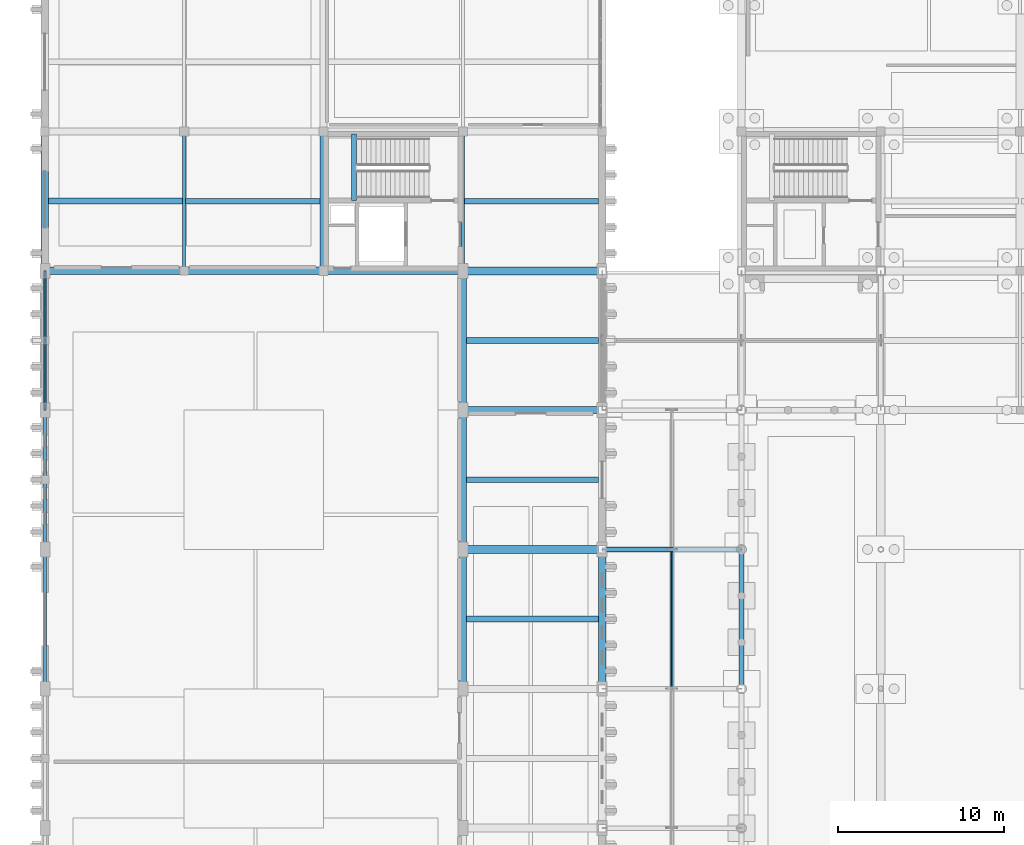
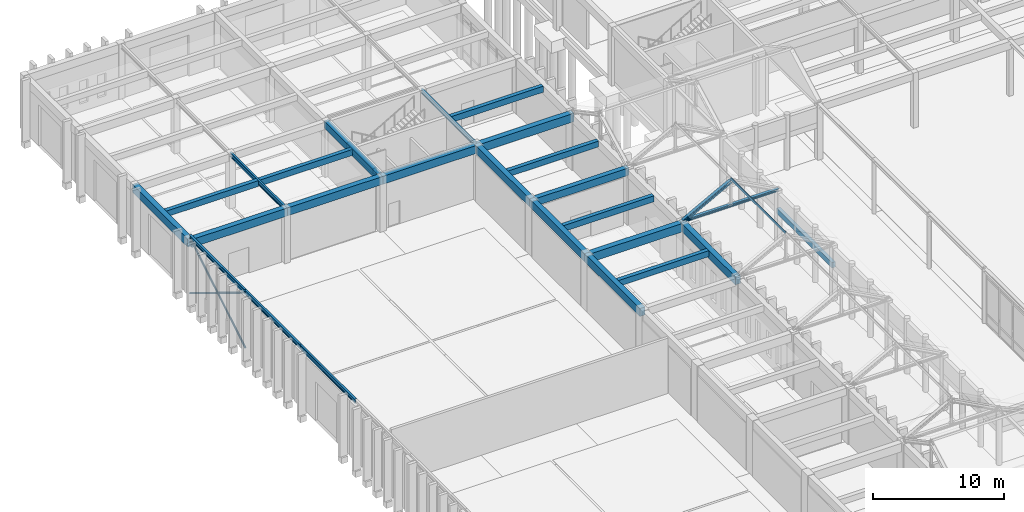
# One storey, part 48 of 143: 25 beams, 6 members.
"""IFC4 building model written with IfcOpenShell, lengths in metres."""

from ifc_helpers import new_model, si_unit, direction, frame, origin, origin_2d, place, context, subcontext, project, spatial, rectangle, hollow_rectangle, hollow_circle, i_section, extrude, material, material_profile, profile_set, type_object, element, save


model = new_model("IFC4")

# Units and contexts
model_context = context("Model", 3, precision=1e-05, world=origin(), true_north=direction((0.0, 1.0)))
body_context = subcontext(model_context, "Body", "Model", "MODEL_VIEW")
ifc_project = project(units=[si_unit("LENGTHUNIT", "METRE"), si_unit("AREAUNIT", "SQUARE_METRE"), si_unit("VOLUMEUNIT", "CUBIC_METRE"), si_unit("PLANEANGLEUNIT", "RADIAN"), si_unit("MASSUNIT", "GRAM", prefix="KILO")], contexts=[model_context])

# Site, building, storey
site_placement = place(None, origin())
site = spatial("IfcSite", under=ifc_project, at=site_placement, CompositionType="ELEMENT")
building_placement = place(site_placement, origin())
building = spatial("IfcBuilding", under=site, at=building_placement, Name="Kveldsbrygga Polytechnic", CompositionType="ELEMENT")
storey_placement = place(building_placement, origin())
storey = spatial("IfcBuildingStorey", under=building, at=storey_placement, Name="L00", CompositionType="ELEMENT", Elevation=0.0)

# Beams
ifc_material_1 = material(Name="Concrete C35/45", Category="concrete")
ifc_material_profile_1 = material_profile(ifc_material_1, rectangle(XDim=0.39990234375, YDim=0.64990234375, at=origin_2d()), Name="RC 400x650")
ifc_profile_set_1 = profile_set([ifc_material_profile_1], Name="Concrete C35/45")
beam_type_1 = type_object("IfcBeamType", Name="BM-RC-400x650", PredefinedType="BEAM", material=ifc_profile_set_1)
beam_1_placement = place(storey_placement, frame((16.800048828125, 84.0, 4.77490234375), z_axis=(0.0, 1.0, 0.0), x_axis=(-1.0, 0.0, 0.0)))
element("IfcBeam", 1, at=beam_1_placement, inside=storey, type_object=beam_type_1, Name="Primary Beam BMY-L00-02-10to11", PredefinedType="BEAM", context=body_context, shape_type="SweptSolid", body=[
    extrude(rectangle(XDim=0.39990234375, YDim=0.64990234375, at=origin_2d()), origin(), (0.0, 0.0, 1.0), 8.39990234375),
])
ifc_material_profile_2 = material_profile(ifc_material_1, rectangle(XDim=0.419921875, YDim=0.679931640625, at=origin_2d()), Name="RC 420x680")
ifc_profile_set_2 = profile_set([ifc_material_profile_2], Name="Concrete C35/45")
beam_type_2 = type_object("IfcBeamType", Name="BM-RC-420x680", PredefinedType="BEAM", material=ifc_profile_set_2)
beam_2_placement = place(storey_placement, frame((25.199951171875, 75.60009765625, 4.760009765625), z_axis=(1.0, 0.0, 0.0), x_axis=(0.0, 1.0, 0.0)))
element("IfcBeam", 2, at=beam_2_placement, inside=storey, type_object=beam_type_2, Name="Primary Beam BMX-L00-03to04-09", PredefinedType="BEAM", context=body_context, shape_type="SweptSolid", body=[
    extrude(rectangle(XDim=0.419921875, YDim=0.679931640625, at=origin_2d()), origin(), (0.0, 0.0, 1.0), 8.400146484375),
])
ifc_material_profile_3 = material_profile(ifc_material_1, rectangle(XDim=0.449951171875, YDim=0.75, at=origin_2d()), Name="RC 450x750")
ifc_profile_set_3 = profile_set([ifc_material_profile_3], Name="Concrete C35/45")
beam_type_3 = type_object("IfcBeamType", Name="BM-RC-450x750", PredefinedType="BEAM", material=ifc_profile_set_3)
for number, where, z_axis, x_axis, name in (
    (3, (0.0, 84.0, 4.72509765625), (0.0, 1.0, 0.0), (-1.0, 0.0, 0.0), "Primary Beam BMY-L00-00-10to11"),
    (4, (25.199951171875, 58.800048828125, 4.72509765625), (0.0, 1.0, 0.0), (-1.0, 0.0, 0.0), "Primary Beam BMY-L00-03-07to08"),
):
    element("IfcBeam", number, at=place(storey_placement, frame(where, z_axis=z_axis, x_axis=x_axis)), inside=storey, type_object=beam_type_3, Name=name, PredefinedType="BEAM", context=body_context, shape_type="SweptSolid", body=[
        extrude(rectangle(XDim=0.449951171875, YDim=0.75, at=origin_2d()), origin(), (0.0, 0.0, 1.0), 8.39990234375),
    ])
beam_3_placement = place(storey_placement, frame((25.199951171875, 67.199951171875, 4.72509765625), z_axis=(0.0, 1.0, 0.0), x_axis=(-1.0, 0.0, 0.0)))
element("IfcBeam", 5, at=beam_3_placement, inside=storey, type_object=beam_type_3, Name="Primary Beam BMY-L00-03-08to09", PredefinedType="BEAM", context=body_context, shape_type="SweptSolid", body=[
    extrude(rectangle(XDim=0.449951171875, YDim=0.75, at=origin_2d()), origin(), (0.0, 0.0, 1.0), 8.400146484375),
])
for number, where, z_axis, x_axis, name in (
    (6, (25.199951171875, 75.60009765625, 4.72509765625), (0.0, 1.0, 0.0), (-1.0, 0.0, 0.0), "Primary Beam BMY-L00-03-09to10"),
    (7, (33.60009765625, 58.800048828125, 4.72509765625), (0.0, 1.0, 0.0), (-1.0, 0.0, 0.0), "Primary Beam BMY-L00-04-07to08"),
):
    element("IfcBeam", number, at=place(storey_placement, frame(where, z_axis=z_axis, x_axis=x_axis)), inside=storey, type_object=beam_type_3, Name=name, PredefinedType="BEAM", context=body_context, shape_type="SweptSolid", body=[
        extrude(rectangle(XDim=0.449951171875, YDim=0.75, at=origin_2d()), origin(), (0.0, 0.0, 1.0), 8.39990234375),
    ])
ifc_material_profile_4 = material_profile(ifc_material_1, rectangle(XDim=0.4599609375, YDim=0.739990234375, at=origin_2d()), Name="RC 460x740")
ifc_profile_set_4 = profile_set([ifc_material_profile_4], Name="Concrete C35/45")
beam_type_4 = type_object("IfcBeamType", Name="BM-RC-460x740", PredefinedType="BEAM", material=ifc_profile_set_4)
beam_4_placement = place(storey_placement, frame((0.0, 84.0, 4.72998046875), z_axis=(1.0, 0.0, 0.0), x_axis=(0.0, 1.0, 0.0)))
element("IfcBeam", 8, at=beam_4_placement, inside=storey, type_object=beam_type_4, Name="Primary Beam BMX-L00-00to01-10", PredefinedType="BEAM", context=body_context, shape_type="SweptSolid", body=[
    extrude(rectangle(XDim=0.4599609375, YDim=0.739990234375, at=origin_2d()), origin(), (0.0, 0.0, 1.0), 8.39990234375),
])
beam_5_placement = place(storey_placement, frame((8.39990234375, 84.0, 4.72998046875), z_axis=(1.0, 0.0, 0.0), x_axis=(0.0, 1.0, 0.0)))
element("IfcBeam", 9, at=beam_5_placement, inside=storey, type_object=beam_type_4, Name="Primary Beam BMX-L00-01to02-10", PredefinedType="BEAM", context=body_context, shape_type="SweptSolid", body=[
    extrude(rectangle(XDim=0.4599609375, YDim=0.739990234375, at=origin_2d()), origin(), (0.0, 0.0, 1.0), 8.400146484375),
])
beam_6_placement = place(storey_placement, frame((16.800048828125, 84.0, 4.72998046875), z_axis=(1.0, 0.0, 0.0), x_axis=(0.0, 1.0, 0.0)))
element("IfcBeam", 10, at=beam_6_placement, inside=storey, type_object=beam_type_4, Name="Primary Beam BMX-L00-02to03-10", PredefinedType="BEAM", context=body_context, shape_type="SweptSolid", body=[
    extrude(rectangle(XDim=0.4599609375, YDim=0.739990234375, at=origin_2d()), origin(), (0.0, 0.0, 1.0), 8.39990234375),
])
ifc_material_profile_5 = material_profile(ifc_material_1, rectangle(XDim=0.47998046875, YDim=0.780029296875, at=origin_2d()), Name="RC 480x780")
ifc_profile_set_5 = profile_set([ifc_material_profile_5], Name="Concrete C35/45")
beam_type_5 = type_object("IfcBeamType", Name="BM-RC-480x780", PredefinedType="BEAM", material=ifc_profile_set_5)
for number, where, z_axis, x_axis, name in (
    (11, (25.199951171875, 67.199951171875, 4.7099609375), (1.0, 0.0, 0.0), (0.0, 1.0, 0.0), "Primary Beam BMX-L00-03to04-08"),
    (12, (25.199951171875, 84.0, 4.7099609375), (1.0, 0.0, 0.0), (0.0, 1.0, 0.0), "Primary Beam BMX-L00-03to04-10"),
):
    element("IfcBeam", number, at=place(storey_placement, frame(where, z_axis=z_axis, x_axis=x_axis)), inside=storey, type_object=beam_type_5, Name=name, PredefinedType="BEAM", context=body_context, shape_type="SweptSolid", body=[
        extrude(rectangle(XDim=0.47998046875, YDim=0.780029296875, at=origin_2d()), origin(), (0.0, 0.0, 1.0), 8.400146484375),
    ])
ifc_material_2 = material(Name="Steel S355", Category="steel")
ifc_material_profile_6 = material_profile(ifc_material_2, i_section(OverallWidth=0.179931640625, OverallDepth=0.39990234375, WebThickness=0.008544921875, FlangeThickness=0.013427734375, FilletRadius=0.02099609375, at=origin_2d()), Name="IPE 400")
ifc_profile_set_6 = profile_set([ifc_material_profile_6], Name="Steel S355")
beam_type_6 = type_object("IfcBeamType", Name="BM-STL-IPE400", PredefinedType="BEAM", material=ifc_profile_set_6)
for number, where, z_axis, x_axis, name in (
    (13, (8.39990234375, 84.0, 4.89990234375), (0.0, 1.0, 0.0), (-1.0, 0.0, 0.0), "Primary Beam BMY-L00-01-10to11"),
    (14, (25.199951171875, 84.0, 4.89990234375), (0.0, 1.0, 0.0), (-1.0, 0.0, 0.0), "Primary Beam BMY-L00-03-10to11"),
    (15, (0.0, 58.800048828125, 5.239990234375), (0.0, 1.0, 0.0), (-1.0, 0.0, 0.0), "Workshop Perimeter Girt Beam BMY-V1GRT-L00-W-07"),
):
    element("IfcBeam", number, at=place(storey_placement, frame(where, z_axis=z_axis, x_axis=x_axis)), inside=storey, type_object=beam_type_6, Name=name, PredefinedType="BEAM", context=body_context, shape_type="SweptSolid", body=[
        extrude(i_section(OverallWidth=0.179931640625, OverallDepth=0.39990234375, WebThickness=0.008544921875, FlangeThickness=0.013427734375, FilletRadius=0.02099609375, at=origin_2d()), origin(), (0.0, 0.0, 1.0), 8.39990234375),
    ])
beam_7_placement = place(storey_placement, frame((0.0, 67.199951171875, 5.239990234375), z_axis=(0.0, 1.0, 0.0), x_axis=(-1.0, 0.0, 0.0)))
element("IfcBeam", 16, at=beam_7_placement, inside=storey, type_object=beam_type_6, Name="Workshop Perimeter Girt Beam BMY-V1GRT-L00-W-08", PredefinedType="BEAM", context=body_context, shape_type="SweptSolid", body=[
    extrude(i_section(OverallWidth=0.179931640625, OverallDepth=0.39990234375, WebThickness=0.008544921875, FlangeThickness=0.013427734375, FilletRadius=0.02099609375, at=origin_2d()), origin(), (0.0, 0.0, 1.0), 8.400146484375),
])
beam_8_placement = place(storey_placement, frame((0.0, 75.60009765625, 5.239990234375), z_axis=(0.0, 1.0, 0.0), x_axis=(-1.0, 0.0, 0.0)))
element("IfcBeam", 17, at=beam_8_placement, inside=storey, type_object=beam_type_6, Name="Workshop Perimeter Girt Beam BMY-V1GRT-L00-W-09", PredefinedType="BEAM", context=body_context, shape_type="SweptSolid", body=[
    extrude(i_section(OverallWidth=0.179931640625, OverallDepth=0.39990234375, WebThickness=0.008544921875, FlangeThickness=0.013427734375, FilletRadius=0.02099609375, at=origin_2d()), origin(), (0.0, 0.0, 1.0), 8.39990234375),
])

# Members
ifc_material_profile_7 = material_profile(ifc_material_2, hollow_circle(Radius=0.084228515625, WallThickness=0.010009765625, at=origin_2d()), Name="CHS 168.3x10.0")
ifc_profile_set_7 = profile_set([ifc_material_profile_7], Name="Steel S355")
member_type_1 = type_object("IfcMemberType", Name="BR-WIND-CHS168", PredefinedType="BRACE", material=ifc_profile_set_7)
member_1_placement = place(storey_placement, frame((0.0, 75.60009765625, 0.0), z_axis=(0.0, 0.852982633203, 0.521939294798), x_axis=(-1.0, 0.0, 0.0)))
element("IfcMember", 18, at=member_1_placement, inside=storey, type_object=member_type_1, Name="Workshop Portal Continuous Brace VBR-L00-W-9-A", PredefinedType="BRACE", context=body_context, shape_type="SweptSolid", body=[
    extrude(hollow_circle(Radius=0.084228515625, WallThickness=0.010009765625, at=origin_2d()), origin(), (0.0, 0.0, 1.0), 9.84765625),
])
member_2_placement = place(storey_placement, frame((0.0, 84.0, 0.0), z_axis=(0.0, -0.852990810736, 0.521925930377), x_axis=(1.0, 0.0, 0.0)))
element("IfcMember", 19, at=member_2_placement, inside=storey, type_object=member_type_1, Name="Workshop Portal Split Brace VBR-L00-W-9-B1", PredefinedType="BRACE", context=body_context, shape_type="SweptSolid", body=[
    extrude(hollow_circle(Radius=0.084228515625, WallThickness=0.010009765625, at=origin_2d()), origin(), (0.0, 0.0, 1.0), 4.833984375),
])
member_3_placement = place(storey_placement, frame((0.0, 79.72314453125, 2.616943359375), z_axis=(0.0, -0.852977051756, 0.521948416204), x_axis=(1.0, 0.0, 0.0)))
element("IfcMember", 20, at=member_3_placement, inside=storey, type_object=member_type_1, Name="Workshop Portal Split Brace VBR-L00-W-9-B2", PredefinedType="BRACE", context=body_context, shape_type="SweptSolid", body=[
    extrude(hollow_circle(Radius=0.084228515625, WallThickness=0.010009765625, at=origin_2d()), origin(), (0.0, 0.0, 1.0), 4.833740234375),
])

# Beams
ifc_material_profile_8 = material_profile(ifc_material_1, rectangle(XDim=0.340087890625, YDim=0.56005859375, at=origin_2d()), Name="RC 340x560")
ifc_profile_set_8 = profile_set([ifc_material_profile_8], Name="Concrete C35/45")
beam_type_7 = type_object("IfcBeamType", Name="JST-RC-340x560", PredefinedType="JOIST", material=ifc_profile_set_8)
beam_9_placement = place(storey_placement, frame((8.489990234375, 88.199951171875, 4.820068359375), z_axis=(1.0, 0.0, 0.0), x_axis=(0.0, 1.0, 0.0)))
element("IfcBeam", 21, at=beam_9_placement, inside=storey, type_object=beam_type_7, Name="Secondary Joist JST-L00-01-10", PredefinedType="JOIST", context=body_context, shape_type="SweptSolid", body=[
    extrude(rectangle(XDim=0.340087890625, YDim=0.56005859375, at=origin_2d()), origin(), (0.0, 0.0, 1.0), 8.110107421875),
])
beam_10_placement = place(storey_placement, frame((25.425048828125, 71.39990234375, 4.820068359375), z_axis=(1.0, 0.0, 0.0), x_axis=(0.0, 1.0, 0.0)))
element("IfcBeam", 22, at=beam_10_placement, inside=storey, type_object=beam_type_7, Name="Secondary Joist JST-L00-03-08", PredefinedType="JOIST", context=body_context, shape_type="SweptSolid", body=[
    extrude(rectangle(XDim=0.340087890625, YDim=0.56005859375, at=origin_2d()), origin(), (0.0, 0.0, 1.0), 7.949951171875),
])
beam_11_placement = place(storey_placement, frame((25.2900390625, 88.199951171875, 4.820068359375), z_axis=(1.0, 0.0, 0.0), x_axis=(0.0, 1.0, 0.0)))
element("IfcBeam", 23, at=beam_11_placement, inside=storey, type_object=beam_type_7, Name="Secondary Joist JST-L00-03-10", PredefinedType="JOIST", context=body_context, shape_type="SweptSolid", body=[
    extrude(rectangle(XDim=0.340087890625, YDim=0.56005859375, at=origin_2d()), origin(), (0.0, 0.0, 1.0), 8.0849609375),
])
ifc_material_profile_9 = material_profile(ifc_material_1, rectangle(XDim=0.35009765625, YDim=0.550048828125, at=origin_2d()), Name="RC 350x550")
ifc_profile_set_9 = profile_set([ifc_material_profile_9], Name="Concrete C35/45")
beam_type_8 = type_object("IfcBeamType", Name="JST-RC-350x550", PredefinedType="JOIST", material=ifc_profile_set_9)
beam_12_placement = place(storey_placement, frame((0.22509765625, 88.199951171875, 4.824951171875), z_axis=(1.0, 0.0, 0.0), x_axis=(0.0, 1.0, 0.0)))
element("IfcBeam", 24, at=beam_12_placement, inside=storey, type_object=beam_type_8, Name="Secondary Joist JST-L00-00-10", PredefinedType="JOIST", context=body_context, shape_type="SweptSolid", body=[
    extrude(rectangle(XDim=0.35009765625, YDim=0.550048828125, at=origin_2d()), origin(), (0.0, 0.0, 1.0), 8.0849609375),
])
for number, where, z_axis, x_axis, name in (
    (25, (25.425048828125, 63.0, 4.824951171875), (1.0, 0.0, 0.0), (0.0, 1.0, 0.0), "Secondary Joist JST-L00-03-07"),
    (26, (25.425048828125, 79.800048828125, 4.824951171875), (1.0, 0.0, 0.0), (0.0, 1.0, 0.0), "Secondary Joist JST-L00-03-09"),
):
    element("IfcBeam", number, at=place(storey_placement, frame(where, z_axis=z_axis, x_axis=x_axis)), inside=storey, type_object=beam_type_8, Name=name, PredefinedType="JOIST", context=body_context, shape_type="SweptSolid", body=[
        extrude(rectangle(XDim=0.35009765625, YDim=0.550048828125, at=origin_2d()), origin(), (0.0, 0.0, 1.0), 7.949951171875),
    ])
ifc_material_profile_10 = material_profile(ifc_material_1, rectangle(XDim=0.300048828125, YDim=0.5, at=origin_2d()), Name="RC 300x500")
ifc_profile_set_10 = profile_set([ifc_material_profile_10], Name="Concrete C35/45")
beam_type_9 = type_object("IfcBeamType", Name="LNT-RC-300x500", PredefinedType="LINTEL", material=ifc_profile_set_10)
beam_13_placement = place(storey_placement, frame((18.64990234375, 88.22998046875, 2.27001953125), z_axis=(0.0, 1.0, 0.0), x_axis=(-1.0, 0.0, 0.0)))
element("IfcBeam", 27, at=beam_13_placement, inside=storey, type_object=beam_type_9, Name="Stair Landing Support Beam C8-L00-LNDB-1-1", PredefinedType="LINTEL", context=body_context, shape_type="SweptSolid", body=[
    extrude(rectangle(XDim=0.300048828125, YDim=0.5, at=origin_2d()), origin(), (0.0, 0.0, 1.0), 4.02001953125),
])
beam_14_placement = place(storey_placement, frame((42.0, 58.800048828125, 3.199951171875), z_axis=(0.0, 1.0, 0.0), x_axis=(-1.0, 0.0, 0.0)))
element("IfcBeam", 28, at=beam_14_placement, inside=storey, type_object=beam_type_9, Name="Cloister Arcade Arch Lintel Beam BM-ARC-HDR-06", PredefinedType="LINTEL", context=body_context, shape_type="SweptSolid", body=[
    extrude(rectangle(XDim=0.300048828125, YDim=0.5, at=origin_2d()), origin(), (0.0, 0.0, 1.0), 8.39990234375),
])

# Members
ifc_material_profile_11 = material_profile(ifc_material_2, hollow_rectangle(XDim=0.10009765625, YDim=0.14990234375, WallThickness=0.008056640625, at=origin_2d()), Name="RHS 150x100x8.0")
ifc_profile_set_11 = profile_set([ifc_material_profile_11], Name="Steel S355")
member_type_2 = type_object("IfcMemberType", Name="PRL-RHS150", PredefinedType="PURLIN", material=ifc_profile_set_11)
member_4_placement = place(storey_placement, frame((37.800048828125, 58.800048828125, 7.6337890625), z_axis=(0.0, 1.0, 0.0), x_axis=(-0.881479888517, 0.0, 0.472221564671)))
element("IfcMember", 29, at=member_4_placement, inside=storey, type_object=member_type_2, Name="Roof Purlin ARC-WW-PRL-4-1", PredefinedType="PURLIN", context=body_context, shape_type="SweptSolid", body=[
    extrude(hollow_rectangle(XDim=0.10009765625, YDim=0.14990234375, WallThickness=0.008056640625, at=origin_2d()), origin(), (0.0, 0.0, 1.0), 8.39990234375),
])
ifc_material_profile_12 = material_profile(ifc_material_2, i_section(OverallWidth=0.239990234375, OverallDepth=0.239990234375, WebThickness=0.010009765625, FlangeThickness=0.01708984375, FilletRadius=0.02099609375, at=origin_2d()), Name="HEB 240")
ifc_profile_set_12 = profile_set([ifc_material_profile_12], Name="Steel S355")
member_type_3 = type_object("IfcMemberType", Name="TR-BOT-HEB240", PredefinedType="CHORD", material=ifc_profile_set_12)
member_5_placement = place(storey_placement, frame((33.60009765625, 67.199951171875, 5.139892578125), z_axis=(1.0, 0.0, 0.0), x_axis=(0.0, 1.0, 0.0)))
element("IfcMember", 30, at=member_5_placement, inside=storey, type_object=member_type_3, Name="Truss Bottom Chord ARC-WW-T05-BC-1", PredefinedType="CHORD", context=body_context, shape_type="SweptSolid", body=[
    extrude(i_section(OverallWidth=0.239990234375, OverallDepth=0.239990234375, WebThickness=0.010009765625, FlangeThickness=0.01708984375, FilletRadius=0.02099609375, at=origin_2d()), origin(), (0.0, 0.0, 1.0), 8.39990234375),
])
ifc_material_profile_13 = material_profile(ifc_material_2, i_section(OverallWidth=0.280029296875, OverallDepth=0.280029296875, WebThickness=0.010498046875, FlangeThickness=0.01806640625, FilletRadius=0.02392578125, at=origin_2d()), Name="HEB 280")
ifc_profile_set_13 = profile_set([ifc_material_profile_13], Name="Steel S355")
member_type_4 = type_object("IfcMemberType", Name="TR-TOP-HEB280", PredefinedType="CHORD", material=ifc_profile_set_13)
member_6_placement = place(storey_placement, frame((33.60009765625, 67.199951171875, 5.139892578125), z_axis=(0.881477684796, 0.0, 0.472225678258), x_axis=(0.0, 1.0, 0.0)))
element("IfcMember", 31, at=member_6_placement, inside=storey, type_object=member_type_4, Name="Truss Top Chord ARC-WW-T05-TC-1", PredefinedType="CHORD", context=body_context, shape_type="SweptSolid", body=[
    extrude(i_section(OverallWidth=0.280029296875, OverallDepth=0.280029296875, WebThickness=0.010498046875, FlangeThickness=0.01806640625, FilletRadius=0.02392578125, at=origin_2d()), origin(), (0.0, 0.0, 1.0), 4.7646484375),
])

save(model, "model.ifc")
